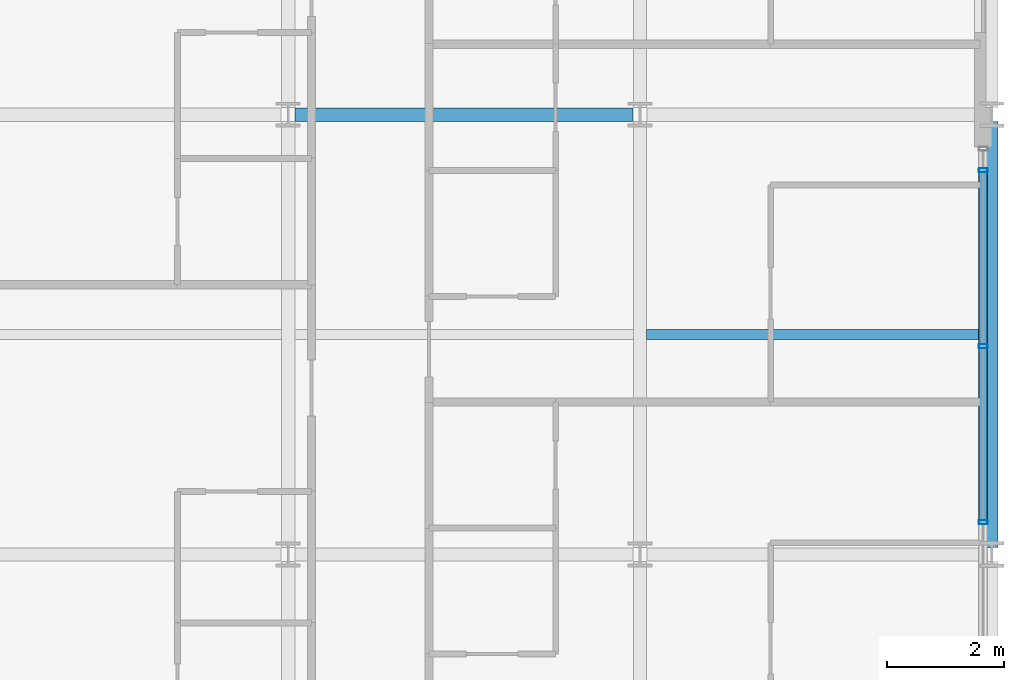
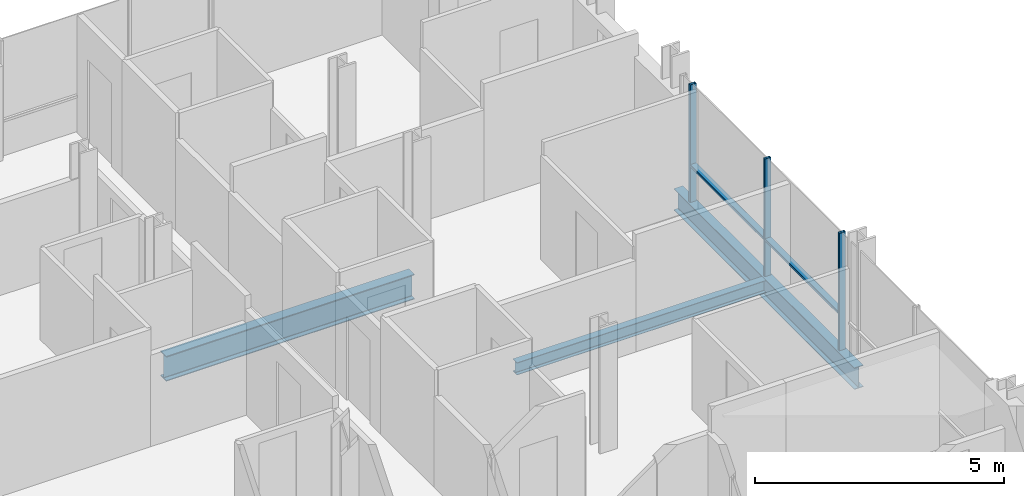
# One storey, part 19 of 40: 5 members, 3 beams, 1 element without a shape of its own.
"""IFC4 building model written with IfcOpenShell, lengths in metres."""

from ifc_helpers import new_model, si_unit, direction, frame, origin, origin_2d, place, context, subcontext, project, spatial, hollow_rectangle, i_section, extrude, material, layer, layer_set, material_profile, profile_set, type_object, element, aggregate, save


model = new_model("IFC4")

# Units and contexts
model_context = context("Model", 3, precision=1e-05, world=origin(), true_north=direction((0.0, 1.0)))
body_context = subcontext(model_context, "Body", "Model", "MODEL_VIEW")
ifc_project = project(units=[si_unit("LENGTHUNIT", "METRE"), si_unit("AREAUNIT", "SQUARE_METRE"), si_unit("VOLUMEUNIT", "CUBIC_METRE"), si_unit("PLANEANGLEUNIT", "RADIAN"), si_unit("MASSUNIT", "GRAM", prefix="KILO")], contexts=[model_context])

# Site, building, storey
site_placement = place(None, origin())
site = spatial("IfcSite", under=ifc_project, at=site_placement, CompositionType="ELEMENT")
building_placement = place(site_placement, origin())
building = spatial("IfcBuilding", under=site, at=building_placement, Name="Brevholm Reach", CompositionType="ELEMENT")
storey_placement = place(building_placement, frame((0.0, 0.0, 119.0)))
storey = spatial("IfcBuildingStorey", under=building, at=storey_placement, Name="L35", CompositionType="ELEMENT", Elevation=119.0)

# Beams
ifc_material_1 = material(Name="Structural Steel S355J2", Category="steel")
ifc_material_profile_1 = material_profile(ifc_material_1, i_section(OverallWidth=0.1650390625, OverallDepth=0.303466796875, WebThickness=0.006103515625, FlangeThickness=0.01025390625, FilletRadius=0.0087890625, at=origin_2d()), Name="UKB 305x165x40")
ifc_profile_set_1 = profile_set([ifc_material_profile_1], Name="Structural Steel S355J2")
beam_type_1 = type_object("IfcBeamType", Name="BM-B305", PredefinedType="BEAM", material=ifc_profile_set_1)
beam_1_placement = place(storey_placement, frame((54.114501953125, 19.75, -0.37158203125), z_axis=(1.0, 0.0, 0.0), x_axis=(0.0, 1.0, 0.0)))
element("IfcBeam", 1, at=beam_1_placement, inside=storey, type_object=beam_type_1, Name="L35 Composite Secondary Floor Beam", PredefinedType="BEAM", context=body_context, shape_type="SweptSolid", body=[
    extrude(i_section(OverallWidth=0.1650390625, OverallDepth=0.303466796875, WebThickness=0.006103515625, FlangeThickness=0.01025390625, FilletRadius=0.0087890625, at=origin_2d()), origin(), (0.0, 0.0, 1.0), 5.78076171875),
])
ifc_material_2 = material(Name="Structural Steel S355J2", Category="steel")
ifc_material_profile_2 = material_profile(ifc_material_2, i_section(OverallWidth=0.209228515625, OverallDepth=0.533203125, WebThickness=0.010009765625, FlangeThickness=0.015625, FilletRadius=0.0126953125, at=origin_2d()), Name="UKB 533x210x92")
ifc_profile_set_2 = profile_set([ifc_material_profile_2], Name="Structural Steel S355J2")
beam_type_2 = type_object("IfcBeamType", Name="BM-SP533", PredefinedType="SPANDREL", material=ifc_profile_set_2)
beam_2_placement = place(storey_placement, frame((60.0, 16.1201171875, -0.486572265625), z_axis=(0.0, 1.0, 0.0), x_axis=(-1.0, 0.0, 0.0)))
element("IfcBeam", 2, at=beam_2_placement, inside=storey, type_object=beam_type_2, Name="L35 SP-02 Framing Beam", PredefinedType="SPANDREL", context=body_context, shape_type="SweptSolid", body=[
    extrude(i_section(OverallWidth=0.209228515625, OverallDepth=0.533203125, WebThickness=0.010009765625, FlangeThickness=0.015625, FilletRadius=0.0126953125, at=origin_2d()), origin(), (0.0, 0.0, 1.0), 7.259765625),
])
ifc_material_3 = material(Name="Structural Steel S355J2", Category="steel")
ifc_material_profile_3 = material_profile(ifc_material_3, i_section(OverallWidth=0.22900390625, OverallDepth=0.6123046875, WebThickness=0.011962890625, FlangeThickness=0.01953125, FilletRadius=0.0126953125, at=origin_2d()), Name="UKB 610x229x125")
ifc_profile_set_3 = profile_set([ifc_material_profile_3], Name="Structural Steel S355J2")
beam_type_3 = type_object("IfcBeamType", Name="BM-SP610", PredefinedType="SPANDREL", material=ifc_profile_set_3)
beam_3_placement = place(storey_placement, frame((48.1201171875, 23.5, -0.526123046875), z_axis=(1.0, 0.0, 0.0), x_axis=(0.0, 1.0, 0.0)))
element("IfcBeam", 3, at=beam_3_placement, inside=storey, type_object=beam_type_3, Name="L35 SP-01 Framing Beam", PredefinedType="SPANDREL", context=body_context, shape_type="SweptSolid", body=[
    extrude(i_section(OverallWidth=0.22900390625, OverallDepth=0.6123046875, WebThickness=0.011962890625, FlangeThickness=0.01953125, FilletRadius=0.0126953125, at=origin_2d()), origin(), (0.0, 0.0, 1.0), 5.759765625),
])

# Curtain wall, members
ifc_material_4 = material(Name="Dark Anodised Aluminium 6063-T6 and Solar-Control Glass", Category="aluminium")
ifc_layer = layer(ifc_material_4, 0.14990234375)
ifc_layer_set = layer_set([ifc_layer], Name="Dark Anodised Aluminium 6063-T6 and Solar-Control Glass")
curtain_wall_type = type_object("IfcCurtainWallType", Name="CW-01", PredefinedType="NOTDEFINED", material=ifc_layer_set)
curtain_wall_placement = place(storey_placement, origin())
curtain_wall = element("IfcCurtainWall", 4, at=curtain_wall_placement, inside=storey, type_object=curtain_wall_type, Name="L35 Curtain Wall CW-01", PredefinedType="NOTDEFINED")
ifc_material_5 = material(Name="Dark Anodised Aluminium 6063-T6", Category="aluminium")
ifc_material_profile_4 = material_profile(ifc_material_5, hollow_rectangle(XDim=0.06494140625, YDim=0.14990234375, WallThickness=0.0048828125, InnerFilletRadius=0.0048828125, OuterFilletRadius=0.010009765625, at=origin_2d()), Name="RHS 150x65x5")
ifc_profile_set_4 = profile_set([ifc_material_profile_4], Name="Dark Anodised Aluminium 6063-T6")
member_type_1 = type_object("IfcMemberType", Name="CWM-150", PredefinedType="MULLION", material=ifc_profile_set_4)
member_1_placement = place(storey_placement, frame((59.85009765625, 16.550048828125, 0.0), z_axis=(0.0, 0.0, 1.0), x_axis=(0.0, 1.0, 0.0)))
member_1 = element("IfcMember", 5, at=member_1_placement, type_object=member_type_1, Name="CM-150 Mullion 3", PredefinedType="MULLION", context=body_context, shape_type="SweptSolid", body=[
    extrude(hollow_rectangle(XDim=0.06494140625, YDim=0.14990234375, WallThickness=0.0048828125, InnerFilletRadius=0.0048828125, OuterFilletRadius=0.010009765625, at=origin_2d()), origin(), (0.0, 0.0, 1.0), 2.8798828125),
])
member_2_placement = place(storey_placement, frame((59.85009765625, 19.550048828125, 0.0), z_axis=(0.0, 0.0, 1.0), x_axis=(0.0, 1.0, 0.0)))
member_2 = element("IfcMember", 6, at=member_2_placement, type_object=member_type_1, Name="CM-150 Mullion 4", PredefinedType="MULLION", context=body_context, shape_type="SweptSolid", body=[
    extrude(hollow_rectangle(XDim=0.06494140625, YDim=0.14990234375, WallThickness=0.0048828125, InnerFilletRadius=0.0048828125, OuterFilletRadius=0.010009765625, at=origin_2d()), origin(), (0.0, 0.0, 1.0), 2.8798828125),
])
member_3_placement = place(storey_placement, frame((59.85009765625, 22.550048828125, 0.0), z_axis=(0.0, 0.0, 1.0), x_axis=(0.0, 1.0, 0.0)))
member_3 = element("IfcMember", 7, at=member_3_placement, type_object=member_type_1, Name="CM-150 Mullion 5", PredefinedType="MULLION", context=body_context, shape_type="SweptSolid", body=[
    extrude(hollow_rectangle(XDim=0.06494140625, YDim=0.14990234375, WallThickness=0.0048828125, InnerFilletRadius=0.0048828125, OuterFilletRadius=0.010009765625, at=origin_2d()), origin(), (0.0, 0.0, 1.0), 2.8798828125),
])
ifc_material_6 = material(Name="Dark Anodised Aluminium 6063-T6", Category="aluminium")
ifc_material_profile_5 = material_profile(ifc_material_6, hollow_rectangle(XDim=0.06494140625, YDim=0.14990234375, WallThickness=0.0048828125, InnerFilletRadius=0.0048828125, OuterFilletRadius=0.010009765625, at=origin_2d()), Name="RHS 150x65x5")
ifc_profile_set_5 = profile_set([ifc_material_profile_5], Name="Dark Anodised Aluminium 6063-T6")
member_type_2 = type_object("IfcMemberType", Name="CWT-150", PredefinedType="NOTDEFINED", material=ifc_profile_set_5)
member_4_placement = place(storey_placement, frame((59.85009765625, 16.58251953125, 0.89990234375), z_axis=(0.0, 1.0, 0.0), x_axis=(0.0, 0.0, 1.0)))
member_4 = element("IfcMember", 8, at=member_4_placement, type_object=member_type_2, Name="CT-150 Transom 3.1", ObjectType="TRANSOM", PredefinedType="USERDEFINED", context=body_context, shape_type="SweptSolid", body=[
    extrude(hollow_rectangle(XDim=0.06494140625, YDim=0.14990234375, WallThickness=0.0048828125, InnerFilletRadius=0.0048828125, OuterFilletRadius=0.010009765625, at=origin_2d()), origin(), (0.0, 0.0, 1.0), 2.93505859375),
])
member_5_placement = place(storey_placement, frame((59.85009765625, 19.58251953125, 0.89990234375), z_axis=(0.0, 1.0, 0.0), x_axis=(0.0, 0.0, 1.0)))
member_5 = element("IfcMember", 9, at=member_5_placement, type_object=member_type_2, Name="CT-150 Transom 4.1", ObjectType="TRANSOM", PredefinedType="USERDEFINED", context=body_context, shape_type="SweptSolid", body=[
    extrude(hollow_rectangle(XDim=0.06494140625, YDim=0.14990234375, WallThickness=0.0048828125, InnerFilletRadius=0.0048828125, OuterFilletRadius=0.010009765625, at=origin_2d()), origin(), (0.0, 0.0, 1.0), 2.93505859375),
])
aggregate(curtain_wall, [member_1, member_2, member_3, member_4, member_5])

save(model, "model.ifc")
